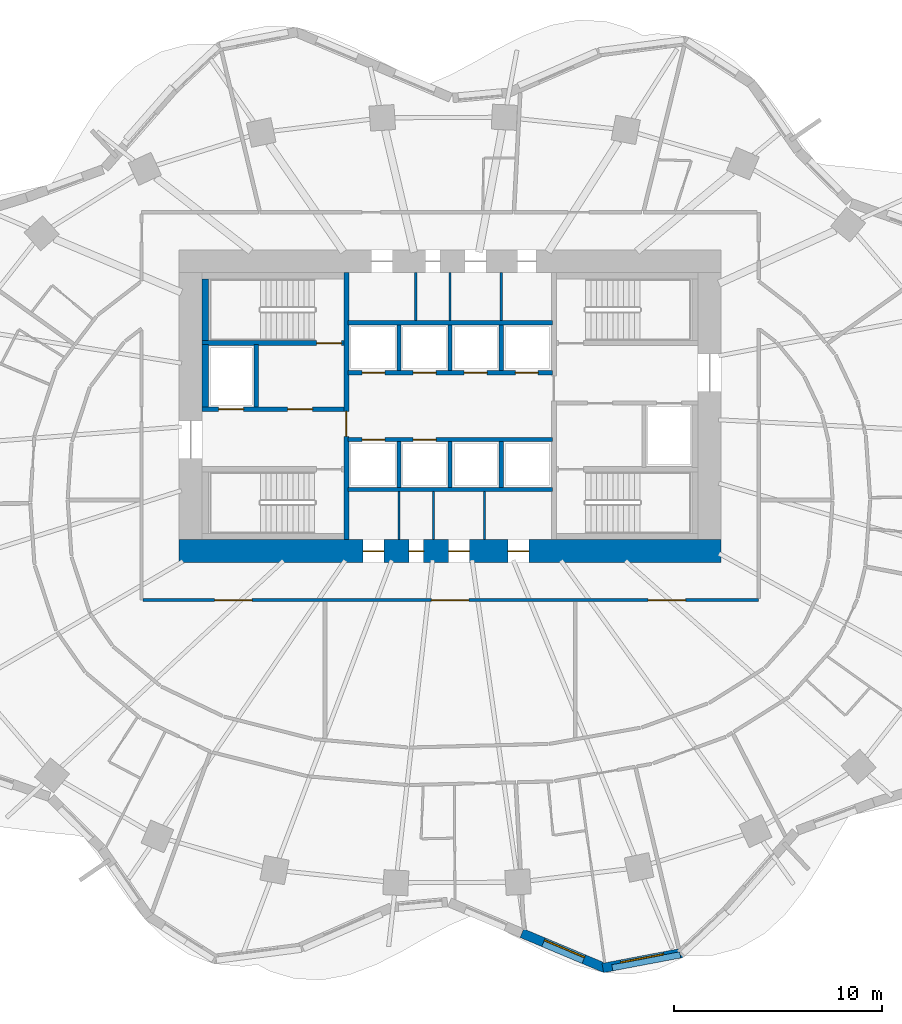
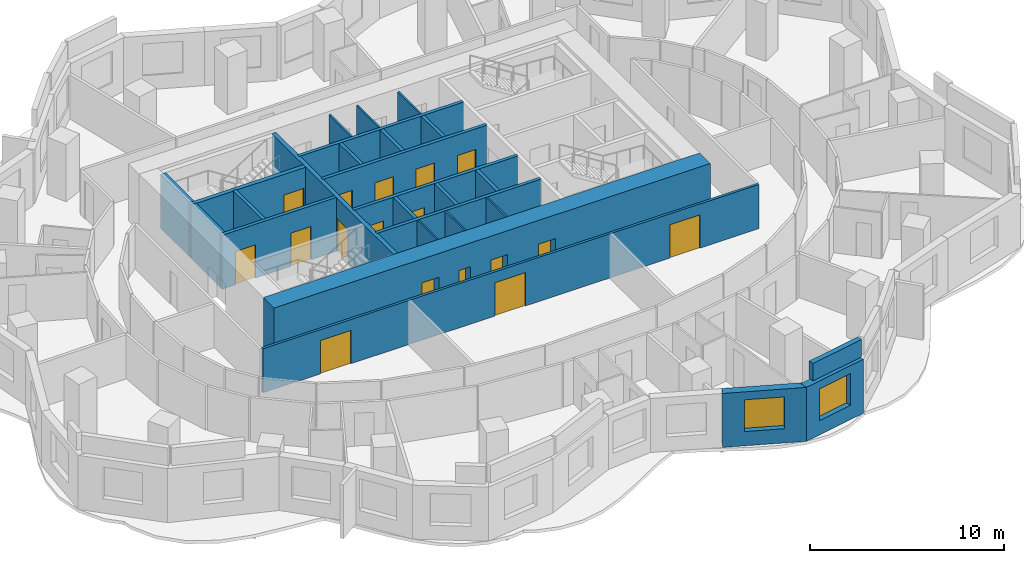
# One storey, part 5 of 10: 27 walls, 17 doors, 2 windows, 19 openings.
"""IFC4 building model written with IfcOpenShell, lengths in metres."""

from ifc_helpers import new_model, si_unit, direction, frame, frame_2d, origin, place, context, subcontext, project, spatial, rectangle, extrude, material, layer, layer_set, type_object, element, fill, save


model = new_model("IFC4")

# Units and contexts
model_context = context("Model", 3, precision=1e-05, world=origin(), true_north=direction((0.0, 1.0)))
body_context = subcontext(model_context, "Body", "Model", "MODEL_VIEW")
ifc_project = project(units=[si_unit("LENGTHUNIT", "METRE"), si_unit("AREAUNIT", "SQUARE_METRE"), si_unit("VOLUMEUNIT", "CUBIC_METRE"), si_unit("PLANEANGLEUNIT", "RADIAN"), si_unit("MASSUNIT", "GRAM", prefix="KILO")], contexts=[model_context])

# Site, building, storey
site_placement = place(None, origin())
site = spatial("IfcSite", under=ifc_project, at=site_placement, CompositionType="ELEMENT")
building_placement = place(site_placement, origin())
building = spatial("IfcBuilding", under=site, at=building_placement, Name="Rubra Terraces Tower", CompositionType="ELEMENT")
storey_placement = place(building_placement, frame((0.0, 0.0, 110.39990234375)))
storey = spatial("IfcBuildingStorey", under=building, at=storey_placement, Name="L26", CompositionType="ELEMENT", Elevation=110.39990234375)

# Wall, opening, window
ifc_material_1 = material(Name="Brick masonry red-brown", Category="masonry")
ifc_layer_1 = layer(ifc_material_1, 0.449951171875)
ifc_layer_set_1 = layer_set([ifc_layer_1], Name="Brick masonry red-brown")
wall_type_1 = type_object("IfcWallType", Name="Brick facade wall 450", PredefinedType="SOLIDWALL", material=ifc_layer_set_1)
wall_1_placement = place(storey_placement, frame((3.44140625, -20.776123046875, 0.0), z_axis=(0.0, 0.0, 1.0), x_axis=(0.921988121387, -0.387218160758, 0.0)))
wall_1 = element("IfcWall", 1, at=wall_1_placement, inside=storey, type_object=wall_type_1, Name="Facade wall L26 bay 32", PredefinedType="SOLIDWALL", context=body_context, shape_type="SweptSolid", body=[
    extrude(rectangle(XDim=4.3466796875, YDim=0.449951171875, at=frame_2d((2.17333984375, 0.0))), origin(), (0.0, 0.0, 1.0), 3.400146484375),
])
opening_1_placement = place(wall_1_placement, frame((1.123291015625, 0.0, 0.89990234375)))
opening_1 = element("IfcOpeningElement", 2, at=opening_1_placement, cuts=wall_1, Name="Opening W1", PredefinedType="OPENING", context=body_context, shape_type="SweptSolid", body=[
    extrude(rectangle(XDim=2.10009765625, YDim=2.0, at=frame_2d((1.050048828125, 1.0))), frame((0.0, 0.23486328125, 0.0), z_axis=(0.0, -1.0, 0.0), x_axis=(1.0, 0.0, 0.0)), (0.0, 0.0, 1.0), 0.469970703125),
])
ifc_material_2 = material(Name="Clear glass in aluminium frame", Category="aluminium")
window_type = type_object("IfcWindowType", Name="Fixed deep-set window 2100 x 2000", PartitioningType="SINGLE_PANEL", PredefinedType="WINDOW", material=ifc_material_2)
window_1_placement = place(opening_1_placement, origin())
window_1 = element("IfcWindow", 3, at=window_1_placement, inside=storey, type_object=window_type, Name="Window L26 bay 32", OverallHeight=2.0, OverallWidth=2.10009765625, PartitioningType="SINGLE_PANEL", PredefinedType="WINDOW", context=body_context, shape_type="SweptSolid", body=[
    extrude(rectangle(XDim=2.10009765625, YDim=2.0, at=frame_2d((1.050048828125, 1.0))), frame((0.0, 0.135009765625, 0.0), z_axis=(0.0, -1.0, 0.0), x_axis=(1.0, 0.0, 0.0)), (0.0, 0.0, 1.0), 0.06005859375),
])
fill(opening_1, window_1)

wall_2_placement = place(storey_placement, frame((7.322998046875, -22.447021484375, 0.0), z_axis=(0.0, 0.0, 1.0), x_axis=(0.982420993638, 0.18667884524, 0.0)))
wall_2 = element("IfcWall", 4, at=wall_2_placement, inside=storey, type_object=wall_type_1, Name="Facade wall L26 bay 33", PredefinedType="SOLIDWALL", context=body_context, shape_type="SweptSolid", body=[
    extrude(rectangle(XDim=3.88427734375, YDim=0.449951171875, at=frame_2d((1.942138671875, 0.0))), origin(), (0.0, 0.0, 1.0), 3.400146484375),
])
opening_2_placement = place(wall_2_placement, frame((0.89208984375, 0.0, 0.89990234375)))
opening_2 = element("IfcOpeningElement", 5, at=opening_2_placement, cuts=wall_2, Name="Opening W1", PredefinedType="OPENING", context=body_context, shape_type="SweptSolid", body=[
    extrude(rectangle(XDim=2.10009765625, YDim=2.0, at=frame_2d((1.050048828125, 1.0))), frame((0.0, 0.23486328125, 0.0), z_axis=(0.0, -1.0, 0.0), x_axis=(1.0, 0.0, 0.0)), (0.0, 0.0, 1.0), 0.469970703125),
])
window_2_placement = place(opening_2_placement, origin())
window_2 = element("IfcWindow", 6, at=window_2_placement, inside=storey, type_object=window_type, Name="Window L26 bay 33", OverallHeight=2.0, OverallWidth=2.10009765625, PartitioningType="SINGLE_PANEL", PredefinedType="WINDOW", context=body_context, shape_type="SweptSolid", body=[
    extrude(rectangle(XDim=2.10009765625, YDim=2.0, at=frame_2d((1.050048828125, 1.0))), frame((0.0, 0.135009765625, 0.0), z_axis=(0.0, -1.0, 0.0), x_axis=(1.0, 0.0, 0.0)), (0.0, 0.0, 1.0), 0.06005859375),
])
fill(opening_2, window_2)

# Wall
ifc_layer_2 = layer(ifc_material_1, 0.300048828125)
ifc_layer_set_2 = layer_set([ifc_layer_2], Name="Brick masonry red-brown")
wall_type_2 = type_object("IfcWallType", Name="Brick parapet 300", PredefinedType="PARAPET", material=ifc_layer_set_2)
wall_3_placement = place(storey_placement, frame((7.777587890625, -22.43701171875, 3.60009765625), z_axis=(0.0, 0.0, 1.0), x_axis=(0.98241446716, 0.186713188382, 0.0)))
element("IfcWall", 7, at=wall_3_placement, inside=storey, type_object=wall_type_2, Name="Parapet L26 bay 33", PredefinedType="PARAPET", context=body_context, shape_type="SweptSolid", body=[
    extrude(rectangle(XDim=3.318603515625, YDim=0.300048828125, at=frame_2d((1.6591796875, 0.0))), origin(), (0.0, 0.0, 1.0), 1.10009765625),
])

# Wall, openings, doors
ifc_material_3 = material(Name="Concrete C60", Category="concrete")
ifc_layer_3 = layer(ifc_material_3, 1.10009765625)
ifc_layer_set_3 = layer_set([ifc_layer_3], Name="Concrete C60")
wall_type_3 = type_object("IfcWallType", Name="CORE WALL 1100 C60", PredefinedType="SHEAR", material=ifc_layer_set_3)
wall_4_placement = place(storey_placement, frame((-13.0, -2.449951171875, 0.0), z_axis=(0.0, 0.0, 1.0), x_axis=(1.0, 0.0, 0.0)))
wall_4 = element("IfcWall", 8, at=wall_4_placement, inside=storey, type_object=wall_type_3, Name="CORE WALL S L26", PredefinedType="SHEAR", context=body_context, shape_type="SweptSolid", body=[
    extrude(rectangle(XDim=26.0, YDim=1.10009765625, at=frame_2d((13.0, 0.0))), origin(), (0.0, 0.0, 1.0), 3.60009765625),
])
opening_3_placement = place(wall_4_placement, frame((8.824951171875, 0.0, 0.0)))
opening_3 = element("IfcOpeningElement", 9, at=opening_3_placement, cuts=wall_4, Name="Opening L26.C19", PredefinedType="OPENING", context=body_context, shape_type="SweptSolid", body=[
    extrude(rectangle(XDim=1.0, YDim=2.10009765625, at=frame_2d((0.5, 1.050048828125))), frame((0.0, 0.56005859375, 0.0), z_axis=(0.0, -1.0, 0.0), x_axis=(1.0, 0.0, 0.0)), (0.0, 0.0, 1.0), 1.1201171875),
])
opening_4_placement = place(wall_4_placement, frame((11.02490234375, 0.0, 0.0)))
opening_4 = element("IfcOpeningElement", 10, at=opening_4_placement, cuts=wall_4, Name="Opening L26.C20", PredefinedType="OPENING", context=body_context, shape_type="SweptSolid", body=[
    extrude(rectangle(XDim=0.699951171875, YDim=2.10009765625, at=frame_2d((0.35009765625, 1.050048828125))), frame((0.0, 0.56005859375, 0.0), z_axis=(0.0, -1.0, 0.0), x_axis=(1.0, 0.0, 0.0)), (0.0, 0.0, 1.0), 1.1201171875),
])
opening_5_placement = place(wall_4_placement, frame((12.925048828125, 0.0, 0.0)))
opening_5 = element("IfcOpeningElement", 11, at=opening_5_placement, cuts=wall_4, Name="Opening L26.C21", PredefinedType="OPENING", context=body_context, shape_type="SweptSolid", body=[
    extrude(rectangle(XDim=1.0, YDim=2.10009765625, at=frame_2d((0.5, 1.050048828125))), frame((0.0, 0.56005859375, 0.0), z_axis=(0.0, -1.0, 0.0), x_axis=(1.0, 0.0, 0.0)), (0.0, 0.0, 1.0), 1.1201171875),
])
opening_6_placement = place(wall_4_placement, frame((15.77490234375, 0.0, 0.0)))
opening_6 = element("IfcOpeningElement", 12, at=opening_6_placement, cuts=wall_4, Name="Opening L26.C22", PredefinedType="OPENING", context=body_context, shape_type="SweptSolid", body=[
    extrude(rectangle(XDim=1.0, YDim=2.10009765625, at=frame_2d((0.5, 1.050048828125))), frame((0.0, 0.56005859375, 0.0), z_axis=(0.0, -1.0, 0.0), x_axis=(1.0, 0.0, 0.0)), (0.0, 0.0, 1.0), 1.1201171875),
])
ifc_material_4 = material(Name="Painted steel", Category="steel")
door_type_1 = type_object("IfcDoorType", Name="Fire door 1000x2100 single", OperationType="NOTDEFINED", PredefinedType="DOOR", material=ifc_material_4)
door_1_placement = place(opening_3_placement, origin())
door_1 = element("IfcDoor", 13, at=door_1_placement, inside=storey, type_object=door_type_1, Name="Ice and vending room door", OperationType="SINGLE_SWING_LEFT", OverallHeight=2.10009765625, OverallWidth=1.0, PredefinedType="DOOR", context=body_context, shape_type="SweptSolid", body=[
    extrude(rectangle(XDim=1.0, YDim=2.10009765625, at=frame_2d((0.5, 1.050048828125))), frame((0.0, 0.02490234375, 0.0), z_axis=(0.0, -1.0, 0.0), x_axis=(1.0, 0.0, 0.0)), (0.0, 0.0, 1.0), 0.050048828125),
])
fill(opening_3, door_1)
door_2_placement = place(opening_5_placement, origin())
door_2 = element("IfcDoor", 14, at=door_2_placement, inside=storey, type_object=door_type_1, Name="Linen store door", OperationType="SINGLE_SWING_LEFT", OverallHeight=2.10009765625, OverallWidth=1.0, PredefinedType="DOOR", context=body_context, shape_type="SweptSolid", body=[
    extrude(rectangle(XDim=1.0, YDim=2.10009765625, at=frame_2d((0.5, 1.050048828125))), frame((0.0, 0.02490234375, 0.0), z_axis=(0.0, -1.0, 0.0), x_axis=(1.0, 0.0, 0.0)), (0.0, 0.0, 1.0), 0.050048828125),
])
fill(opening_5, door_2)
door_3_placement = place(opening_6_placement, origin())
door_3 = element("IfcDoor", 15, at=door_3_placement, inside=storey, type_object=door_type_1, Name="Housekeeping store door", OperationType="SINGLE_SWING_RIGHT", OverallHeight=2.10009765625, OverallWidth=1.0, PredefinedType="DOOR", context=body_context, shape_type="SweptSolid", body=[
    extrude(rectangle(XDim=1.0, YDim=2.10009765625, at=frame_2d((0.5, 1.050048828125))), frame((0.0, 0.02490234375, 0.0), z_axis=(0.0, -1.0, 0.0), x_axis=(1.0, 0.0, 0.0)), (0.0, 0.0, 1.0), 0.050048828125),
])
fill(opening_6, door_3)
door_type_2 = type_object("IfcDoorType", Name="Riser access door 700x2100 single", OperationType="NOTDEFINED", PredefinedType="DOOR", material=ifc_material_4)
door_4_placement = place(opening_4_placement, origin())
door_4 = element("IfcDoor", 16, at=door_4_placement, inside=storey, type_object=door_type_2, Name="Electrical riser room door", OperationType="SINGLE_SWING_RIGHT", OverallHeight=2.10009765625, OverallWidth=0.699951171875, PredefinedType="DOOR", context=body_context, shape_type="SweptSolid", body=[
    extrude(rectangle(XDim=0.699951171875, YDim=2.10009765625, at=frame_2d((0.35009765625, 1.050048828125))), frame((0.0, 0.02490234375, 0.0), z_axis=(0.0, -1.0, 0.0), x_axis=(1.0, 0.0, 0.0)), (0.0, 0.0, 1.0), 0.050048828125),
])
fill(opening_4, door_4)

ifc_material_5 = material(Name="Plasterboard on steel stud, mineral wool infill", Category="steel")
ifc_layer_4 = layer(ifc_material_5, 0.14990234375)
ifc_layer_set_4 = layer_set([ifc_layer_4], Name="Plasterboard on steel stud, mineral wool infill")
wall_type_4 = type_object("IfcWallType", Name="CORRIDOR PARTITION 150", PredefinedType="PARTITIONING", material=ifc_layer_set_4)
wall_5_placement = place(storey_placement, frame((-14.72509765625, -4.800048828125, 0.0), z_axis=(0.0, 0.0, 1.0), x_axis=(1.0, 0.0, 0.0)))
wall_5 = element("IfcWall", 17, at=wall_5_placement, inside=storey, type_object=wall_type_4, Name="PARTITION", PredefinedType="PARTITIONING", context=body_context, shape_type="SweptSolid", body=[
    extrude(rectangle(XDim=29.525146484375, YDim=0.14990234375, at=frame_2d((14.7626953125, 0.0))), origin(), (0.0, 0.0, 1.0), 2.7841796875),
])
opening_7_placement = place(wall_5_placement, frame((3.425048828125, 0.0, 0.0)))
opening_7 = element("IfcOpeningElement", 18, at=opening_7_placement, cuts=wall_5, Name="Opening 26-128", PredefinedType="OPENING", context=body_context, shape_type="SweptSolid", body=[
    extrude(rectangle(XDim=1.800048828125, YDim=2.10009765625, at=frame_2d((0.89990234375, 1.050048828125))), frame((0.0, 0.0849609375, 0.0), z_axis=(0.0, -1.0, 0.0), x_axis=(1.0, 0.0, 0.0)), (0.0, 0.0, 1.0), 0.169921875),
])
opening_8_placement = place(wall_5_placement, frame((13.824951171875, 0.0, 0.0)))
opening_8 = element("IfcOpeningElement", 19, at=opening_8_placement, cuts=wall_5, Name="Opening 26-129", PredefinedType="OPENING", context=body_context, shape_type="SweptSolid", body=[
    extrude(rectangle(XDim=1.800048828125, YDim=2.10009765625, at=frame_2d((0.89990234375, 1.050048828125))), frame((0.0, 0.0849609375, 0.0), z_axis=(0.0, -1.0, 0.0), x_axis=(1.0, 0.0, 0.0)), (0.0, 0.0, 1.0), 0.169921875),
])
opening_9_placement = place(wall_5_placement, frame((24.22509765625, 0.0, 0.0)))
opening_9 = element("IfcOpeningElement", 20, at=opening_9_placement, cuts=wall_5, Name="Opening 26-130", PredefinedType="OPENING", context=body_context, shape_type="SweptSolid", body=[
    extrude(rectangle(XDim=1.800048828125, YDim=2.10009765625, at=frame_2d((0.89990234375, 1.050048828125))), frame((0.0, 0.0849609375, 0.0), z_axis=(0.0, -1.0, 0.0), x_axis=(1.0, 0.0, 0.0)), (0.0, 0.0, 1.0), 0.169921875),
])
ifc_material_6 = material(Name="Painted timber door leaf, double", Category="wood")
door_type_3 = type_object("IfcDoorType", Name="ROOM DOUBLE DOOR 1800 X 2100", OperationType="DOUBLE_DOOR_SINGLE_SWING", PredefinedType="DOOR", material=ifc_material_6)
door_5_placement = place(opening_7_placement, origin())
door_5 = element("IfcDoor", 21, at=door_5_placement, inside=storey, type_object=door_type_3, Name="DOOR 26-128", OperationType="DOUBLE_DOOR_SINGLE_SWING", OverallHeight=2.10009765625, OverallWidth=1.800048828125, PredefinedType="DOOR", context=body_context, shape_type="SweptSolid", body=[
    extrude(rectangle(XDim=1.800048828125, YDim=2.10009765625, at=frame_2d((0.89990234375, 1.050048828125))), frame((0.0, 0.02490234375, 0.0), z_axis=(0.0, -1.0, 0.0), x_axis=(1.0, 0.0, 0.0)), (0.0, 0.0, 1.0), 0.050048828125),
])
fill(opening_7, door_5)
door_6_placement = place(opening_8_placement, origin())
door_6 = element("IfcDoor", 22, at=door_6_placement, inside=storey, type_object=door_type_3, Name="DOOR 26-129", OperationType="DOUBLE_DOOR_SINGLE_SWING", OverallHeight=2.10009765625, OverallWidth=1.800048828125, PredefinedType="DOOR", context=body_context, shape_type="SweptSolid", body=[
    extrude(rectangle(XDim=1.800048828125, YDim=2.10009765625, at=frame_2d((0.89990234375, 1.050048828125))), frame((0.0, 0.02490234375, 0.0), z_axis=(0.0, -1.0, 0.0), x_axis=(1.0, 0.0, 0.0)), (0.0, 0.0, 1.0), 0.050048828125),
])
fill(opening_8, door_6)
door_7_placement = place(opening_9_placement, origin())
door_7 = element("IfcDoor", 23, at=door_7_placement, inside=storey, type_object=door_type_3, Name="DOOR 26-130", OperationType="DOUBLE_DOOR_SINGLE_SWING", OverallHeight=2.10009765625, OverallWidth=1.800048828125, PredefinedType="DOOR", context=body_context, shape_type="SweptSolid", body=[
    extrude(rectangle(XDim=1.800048828125, YDim=2.10009765625, at=frame_2d((0.89990234375, 1.050048828125))), frame((0.0, 0.02490234375, 0.0), z_axis=(0.0, -1.0, 0.0), x_axis=(1.0, 0.0, 0.0)), (0.0, 0.0, 1.0), 0.050048828125),
])
fill(opening_9, door_7)

# Walls
ifc_material_7 = material(Name="Concrete C40", Category="concrete")
ifc_layer_5 = layer(ifc_material_7, 0.300048828125)
ifc_layer_set_5 = layer_set([ifc_layer_5], Name="Concrete C40")
wall_type_5 = type_object("IfcWallType", Name="Core lining wall 300 concrete", PredefinedType="SOLIDWALL", material=ifc_layer_set_5)
wall_6_placement = place(storey_placement, frame((-11.75, 4.449951171875, 0.0), z_axis=(0.0, 0.0, 1.0), x_axis=(0.0, 1.0, 0.0)))
element("IfcWall", 24, at=wall_6_placement, inside=storey, type_object=wall_type_5, Name="CORE LINING WALL L26", PredefinedType="SOLIDWALL", context=body_context, shape_type="SweptSolid", body=[
    extrude(rectangle(XDim=3.0, YDim=0.300048828125, at=frame_2d((1.5, 0.0))), origin(), (0.0, 0.0, 1.0), 3.400146484375),
])
wall_7_placement = place(storey_placement, frame((-11.75, 7.64990234375, 0.0), z_axis=(0.0, 0.0, 1.0), x_axis=(0.0, 1.0, 0.0)))
element("IfcWall", 25, at=wall_7_placement, inside=storey, type_object=wall_type_5, Name="CORE LINING WALL L26", PredefinedType="SOLIDWALL", context=body_context, shape_type="SweptSolid", body=[
    extrude(rectangle(XDim=2.9501953125, YDim=0.300048828125, at=frame_2d((1.47509765625, 0.0))), origin(), (0.0, 0.0, 1.0), 3.400146484375),
])

# Wall, openings, doors
ifc_material_8 = material(Name="Concrete C30", Category="concrete")
ifc_layer_6 = layer(ifc_material_8, 0.199951171875)
ifc_layer_set_6 = layer_set([ifc_layer_6], Name="Concrete C30")
wall_type_6 = type_object("IfcWallType", Name="Core wall 200 concrete", PredefinedType="SOLIDWALL", material=ifc_layer_set_6)
wall_8_placement = place(storey_placement, frame((-11.89990234375, 4.35009765625, 0.0), z_axis=(0.0, 0.0, 1.0), x_axis=(1.0, 0.0, 0.0)))
wall_8 = element("IfcWall", 26, at=wall_8_placement, inside=storey, type_object=wall_type_6, Name="STAIR WALL L26", PredefinedType="SOLIDWALL", context=body_context, shape_type="SweptSolid", body=[
    extrude(rectangle(XDim=6.7998046875, YDim=0.199951171875, at=frame_2d((3.39990234375, 0.0))), origin(), (0.0, 0.0, 1.0), 3.400146484375),
])
opening_10_placement = place(wall_8_placement, frame((4.10009765625, 0.0, 0.0)))
opening_10 = element("IfcOpeningElement", 27, at=opening_10_placement, cuts=wall_8, Name="Opening L26.C05", PredefinedType="OPENING", context=body_context, shape_type="SweptSolid", body=[
    extrude(rectangle(XDim=1.199951171875, YDim=2.10009765625, at=frame_2d((0.60009765625, 1.050048828125))), frame((0.0, 0.10986328125, 0.0), z_axis=(0.0, -1.0, 0.0), x_axis=(1.0, 0.0, 0.0)), (0.0, 0.0, 1.0), 0.219970703125),
])
opening_11_placement = place(wall_8_placement, frame((0.800048828125, 0.0, 0.0)))
opening_11 = element("IfcOpeningElement", 28, at=opening_11_placement, cuts=wall_8, Name="Opening L26.C11", PredefinedType="OPENING", context=body_context, shape_type="SweptSolid", body=[
    extrude(rectangle(XDim=1.199951171875, YDim=2.10009765625, at=frame_2d((0.60009765625, 1.050048828125))), frame((0.0, 0.10986328125, 0.0), z_axis=(0.0, -1.0, 0.0), x_axis=(1.0, 0.0, 0.0)), (0.0, 0.0, 1.0), 0.219970703125),
])
door_type_4 = type_object("IfcDoorType", Name="Fire door 1200x2100 single", OperationType="NOTDEFINED", PredefinedType="DOOR", material=ifc_material_4)
door_8_placement = place(opening_10_placement, origin())
door_8 = element("IfcDoor", 29, at=door_8_placement, inside=storey, type_object=door_type_4, Name="Stair vestibule door S2", OperationType="SINGLE_SWING_LEFT", OverallHeight=2.10009765625, OverallWidth=1.199951171875, PredefinedType="DOOR", context=body_context, shape_type="SweptSolid", body=[
    extrude(rectangle(XDim=1.199951171875, YDim=2.10009765625, at=frame_2d((0.60009765625, 1.050048828125))), frame((0.0, 0.02490234375, 0.0), z_axis=(0.0, -1.0, 0.0), x_axis=(1.0, 0.0, 0.0)), (0.0, 0.0, 1.0), 0.050048828125),
])
fill(opening_10, door_8)
ifc_material_9 = material(Name="Stainless steel", Category="steel")
door_type_5 = type_object("IfcDoorType", Name="Lift landing door 1200x2100", OperationType="NOTDEFINED", PredefinedType="DOOR", material=ifc_material_9)
door_9_placement = place(opening_11_placement, origin())
door_9 = element("IfcDoor", 30, at=door_9_placement, inside=storey, type_object=door_type_5, Name="Landing door FF1", OperationType="SLIDING_TO_RIGHT", OverallHeight=2.10009765625, OverallWidth=1.199951171875, PredefinedType="DOOR", context=body_context, shape_type="SweptSolid", body=[
    extrude(rectangle(XDim=1.199951171875, YDim=2.10009765625, at=frame_2d((0.60009765625, 1.050048828125))), frame((0.0, 0.02490234375, 0.0), z_axis=(0.0, -1.0, 0.0), x_axis=(1.0, 0.0, 0.0)), (0.0, 0.0, 1.0), 0.050048828125),
])
fill(opening_11, door_9)

# Walls
wall_9_placement = place(storey_placement, frame((-9.300048828125, 4.449951171875, 0.0), z_axis=(0.0, 0.0, 1.0), x_axis=(0.0, 1.0, 0.0)))
element("IfcWall", 31, at=wall_9_placement, inside=storey, type_object=wall_type_6, Name="STAIR WALL L26", PredefinedType="SOLIDWALL", context=body_context, shape_type="SweptSolid", body=[
    extrude(rectangle(XDim=3.0, YDim=0.199951171875, at=frame_2d((1.5, 0.0))), origin(), (0.0, 0.0, 1.0), 3.400146484375),
])
wall_10_placement = place(storey_placement, frame((-4.89990234375, 0.5, 0.0), z_axis=(0.0, 0.0, 1.0), x_axis=(1.0, 0.0, 0.0)))
element("IfcWall", 32, at=wall_10_placement, inside=storey, type_object=wall_type_6, Name="LIFT SHAFT WALL L26", PredefinedType="SOLIDWALL", context=body_context, shape_type="SweptSolid", body=[
    extrude(rectangle(XDim=9.7998046875, YDim=0.199951171875, at=frame_2d((4.89990234375, 0.0))), origin(), (0.0, 0.0, 1.0), 3.400146484375),
])

# Wall, openings, doors
wall_11_placement = place(storey_placement, frame((-4.89990234375, 2.89990234375, 0.0), z_axis=(0.0, 0.0, 1.0), x_axis=(1.0, 0.0, 0.0)))
wall_11 = element("IfcWall", 33, at=wall_11_placement, inside=storey, type_object=wall_type_6, Name="LIFT SHAFT WALL L26", PredefinedType="SOLIDWALL", context=body_context, shape_type="SweptSolid", body=[
    extrude(rectangle(XDim=9.7998046875, YDim=0.199951171875, at=frame_2d((4.89990234375, 0.0))), origin(), (0.0, 0.0, 1.0), 3.400146484375),
])
opening_12_placement = place(wall_11_placement, frame((0.675048828125, 0.0, 0.0)))
opening_12 = element("IfcOpeningElement", 34, at=opening_12_placement, cuts=wall_11, Name="Opening L26.C13", PredefinedType="OPENING", context=body_context, shape_type="SweptSolid", body=[
    extrude(rectangle(XDim=1.10009765625, YDim=2.10009765625, at=frame_2d((0.550048828125, 1.050048828125))), frame((0.0, 0.10986328125, 0.0), z_axis=(0.0, -1.0, 0.0), x_axis=(1.0, 0.0, 0.0)), (0.0, 0.0, 1.0), 0.219970703125),
])
opening_13_placement = place(wall_11_placement, frame((3.125, 0.0, 0.0)))
opening_13 = element("IfcOpeningElement", 35, at=opening_13_placement, cuts=wall_11, Name="Opening L26.C14", PredefinedType="OPENING", context=body_context, shape_type="SweptSolid", body=[
    extrude(rectangle(XDim=1.10009765625, YDim=2.10009765625, at=frame_2d((0.550048828125, 1.050048828125))), frame((0.0, 0.10986328125, 0.0), z_axis=(0.0, -1.0, 0.0), x_axis=(1.0, 0.0, 0.0)), (0.0, 0.0, 1.0), 0.219970703125),
])
door_type_6 = type_object("IfcDoorType", Name="Lift landing door 1100x2100", OperationType="NOTDEFINED", PredefinedType="DOOR", material=ifc_material_9)
door_10_placement = place(opening_12_placement, origin())
door_10 = element("IfcDoor", 36, at=door_10_placement, inside=storey, type_object=door_type_6, Name="Landing door LB1", OperationType="SLIDING_TO_RIGHT", OverallHeight=2.10009765625, OverallWidth=1.10009765625, PredefinedType="DOOR", context=body_context, shape_type="SweptSolid", body=[
    extrude(rectangle(XDim=1.10009765625, YDim=2.10009765625, at=frame_2d((0.550048828125, 1.050048828125))), frame((0.0, 0.02490234375, 0.0), z_axis=(0.0, -1.0, 0.0), x_axis=(1.0, 0.0, 0.0)), (0.0, 0.0, 1.0), 0.050048828125),
])
fill(opening_12, door_10)
door_11_placement = place(opening_13_placement, origin())
door_11 = element("IfcDoor", 37, at=door_11_placement, inside=storey, type_object=door_type_6, Name="Landing door LB2", OperationType="SLIDING_TO_LEFT", OverallHeight=2.10009765625, OverallWidth=1.10009765625, PredefinedType="DOOR", context=body_context, shape_type="SweptSolid", body=[
    extrude(rectangle(XDim=1.10009765625, YDim=2.10009765625, at=frame_2d((0.550048828125, 1.050048828125))), frame((0.0, 0.02490234375, 0.0), z_axis=(0.0, -1.0, 0.0), x_axis=(1.0, 0.0, 0.0)), (0.0, 0.0, 1.0), 0.050048828125),
])
fill(opening_13, door_11)

wall_12_placement = place(storey_placement, frame((-4.89990234375, 6.10009765625, 0.0), z_axis=(0.0, 0.0, 1.0), x_axis=(1.0, 0.0, 0.0)))
wall_12 = element("IfcWall", 38, at=wall_12_placement, inside=storey, type_object=wall_type_6, Name="LIFT SHAFT WALL L26", PredefinedType="SOLIDWALL", context=body_context, shape_type="SweptSolid", body=[
    extrude(rectangle(XDim=9.7998046875, YDim=0.199951171875, at=frame_2d((4.89990234375, 0.0))), origin(), (0.0, 0.0, 1.0), 3.400146484375),
])
opening_14_placement = place(wall_12_placement, frame((0.675048828125, 0.0, 0.0)))
opening_14 = element("IfcOpeningElement", 39, at=opening_14_placement, cuts=wall_12, Name="Opening L26.C15", PredefinedType="OPENING", context=body_context, shape_type="SweptSolid", body=[
    extrude(rectangle(XDim=1.10009765625, YDim=2.10009765625, at=frame_2d((0.550048828125, 1.050048828125))), frame((0.0, 0.10986328125, 0.0), z_axis=(0.0, -1.0, 0.0), x_axis=(1.0, 0.0, 0.0)), (0.0, 0.0, 1.0), 0.219970703125),
])
opening_15_placement = place(wall_12_placement, frame((3.125, 0.0, 0.0)))
opening_15 = element("IfcOpeningElement", 40, at=opening_15_placement, cuts=wall_12, Name="Opening L26.C16", PredefinedType="OPENING", context=body_context, shape_type="SweptSolid", body=[
    extrude(rectangle(XDim=1.10009765625, YDim=2.10009765625, at=frame_2d((0.550048828125, 1.050048828125))), frame((0.0, 0.10986328125, 0.0), z_axis=(0.0, -1.0, 0.0), x_axis=(1.0, 0.0, 0.0)), (0.0, 0.0, 1.0), 0.219970703125),
])
opening_16_placement = place(wall_12_placement, frame((5.574951171875, 0.0, 0.0)))
opening_16 = element("IfcOpeningElement", 41, at=opening_16_placement, cuts=wall_12, Name="Opening L26.C17", PredefinedType="OPENING", context=body_context, shape_type="SweptSolid", body=[
    extrude(rectangle(XDim=1.10009765625, YDim=2.10009765625, at=frame_2d((0.550048828125, 1.050048828125))), frame((0.0, 0.10986328125, 0.0), z_axis=(0.0, -1.0, 0.0), x_axis=(1.0, 0.0, 0.0)), (0.0, 0.0, 1.0), 0.219970703125),
])
opening_17_placement = place(wall_12_placement, frame((8.02490234375, 0.0, 0.0)))
opening_17 = element("IfcOpeningElement", 42, at=opening_17_placement, cuts=wall_12, Name="Opening L26.C18", PredefinedType="OPENING", context=body_context, shape_type="SweptSolid", body=[
    extrude(rectangle(XDim=1.10009765625, YDim=2.10009765625, at=frame_2d((0.550048828125, 1.050048828125))), frame((0.0, 0.10986328125, 0.0), z_axis=(0.0, -1.0, 0.0), x_axis=(1.0, 0.0, 0.0)), (0.0, 0.0, 1.0), 0.219970703125),
])
door_12_placement = place(opening_14_placement, origin())
door_12 = element("IfcDoor", 43, at=door_12_placement, inside=storey, type_object=door_type_6, Name="Landing door LB3", OperationType="SLIDING_TO_RIGHT", OverallHeight=2.10009765625, OverallWidth=1.10009765625, PredefinedType="DOOR", context=body_context, shape_type="SweptSolid", body=[
    extrude(rectangle(XDim=1.10009765625, YDim=2.10009765625, at=frame_2d((0.550048828125, 1.050048828125))), frame((0.0, 0.02490234375, 0.0), z_axis=(0.0, -1.0, 0.0), x_axis=(1.0, 0.0, 0.0)), (0.0, 0.0, 1.0), 0.050048828125),
])
fill(opening_14, door_12)
door_13_placement = place(opening_15_placement, origin())
door_13 = element("IfcDoor", 44, at=door_13_placement, inside=storey, type_object=door_type_6, Name="Landing door LB4", OperationType="SLIDING_TO_LEFT", OverallHeight=2.10009765625, OverallWidth=1.10009765625, PredefinedType="DOOR", context=body_context, shape_type="SweptSolid", body=[
    extrude(rectangle(XDim=1.10009765625, YDim=2.10009765625, at=frame_2d((0.550048828125, 1.050048828125))), frame((0.0, 0.02490234375, 0.0), z_axis=(0.0, -1.0, 0.0), x_axis=(1.0, 0.0, 0.0)), (0.0, 0.0, 1.0), 0.050048828125),
])
fill(opening_15, door_13)
door_14_placement = place(opening_16_placement, origin())
door_14 = element("IfcDoor", 45, at=door_14_placement, inside=storey, type_object=door_type_6, Name="Landing door LB5", OperationType="SLIDING_TO_RIGHT", OverallHeight=2.10009765625, OverallWidth=1.10009765625, PredefinedType="DOOR", context=body_context, shape_type="SweptSolid", body=[
    extrude(rectangle(XDim=1.10009765625, YDim=2.10009765625, at=frame_2d((0.550048828125, 1.050048828125))), frame((0.0, 0.02490234375, 0.0), z_axis=(0.0, -1.0, 0.0), x_axis=(1.0, 0.0, 0.0)), (0.0, 0.0, 1.0), 0.050048828125),
])
fill(opening_16, door_14)
door_15_placement = place(opening_17_placement, origin())
door_15 = element("IfcDoor", 46, at=door_15_placement, inside=storey, type_object=door_type_6, Name="Landing door LB6", OperationType="SLIDING_TO_LEFT", OverallHeight=2.10009765625, OverallWidth=1.10009765625, PredefinedType="DOOR", context=body_context, shape_type="SweptSolid", body=[
    extrude(rectangle(XDim=1.10009765625, YDim=2.10009765625, at=frame_2d((0.550048828125, 1.050048828125))), frame((0.0, 0.02490234375, 0.0), z_axis=(0.0, -1.0, 0.0), x_axis=(1.0, 0.0, 0.0)), (0.0, 0.0, 1.0), 0.050048828125),
])
fill(opening_17, door_15)

# Walls
wall_13_placement = place(storey_placement, frame((-4.89990234375, 8.5, 0.0), z_axis=(0.0, 0.0, 1.0), x_axis=(1.0, 0.0, 0.0)))
element("IfcWall", 47, at=wall_13_placement, inside=storey, type_object=wall_type_6, Name="LIFT SHAFT WALL L26", PredefinedType="SOLIDWALL", context=body_context, shape_type="SweptSolid", body=[
    extrude(rectangle(XDim=9.7998046875, YDim=0.199951171875, at=frame_2d((4.89990234375, 0.0))), origin(), (0.0, 0.0, 1.0), 3.400146484375),
])
for number, where, z_axis, x_axis, name in (
    (48, (-2.449951171875, 0.60009765625, 0.0), (0.0, 0.0, 1.0), (0.0, 1.0, 0.0), "LIFT SHAFT WALL L26"),
    (49, (0.0, 0.60009765625, 0.0), (0.0, 0.0, 1.0), (0.0, 1.0, 0.0), "LIFT SHAFT WALL L26"),
    (50, (2.449951171875, 0.60009765625, 0.0), (0.0, 0.0, 1.0), (0.0, 1.0, 0.0), "LIFT SHAFT WALL L26"),
    (51, (-2.449951171875, 6.199951171875, 0.0), (0.0, 0.0, 1.0), (0.0, 1.0, 0.0), "LIFT SHAFT WALL L26"),
    (52, (0.0, 6.199951171875, 0.0), (0.0, 0.0, 1.0), (0.0, 1.0, 0.0), "LIFT SHAFT WALL L26"),
    (53, (2.449951171875, 6.199951171875, 0.0), (0.0, 0.0, 1.0), (0.0, 1.0, 0.0), "LIFT SHAFT WALL L26"),
):
    element("IfcWall", number, at=place(storey_placement, frame(where, z_axis=z_axis, x_axis=x_axis)), inside=storey, type_object=wall_type_6, Name=name, PredefinedType="SOLIDWALL", context=body_context, shape_type="SweptSolid", body=[
        extrude(rectangle(XDim=2.199951171875, YDim=0.199951171875, at=frame_2d((1.10009765625, 0.0))), origin(), (0.0, 0.0, 1.0), 3.400146484375),
    ])
ifc_material_10 = material(Name="Blockwork", Category="masonry")
ifc_layer_7 = layer(ifc_material_10, 0.10009765625)
ifc_layer_set_7 = layer_set([ifc_layer_7], Name="Blockwork")
wall_type_7 = type_object("IfcWallType", Name="Service partition 100 blockwork", PredefinedType="PARTITIONING", material=ifc_layer_set_7)
for number, where, z_axis, x_axis, name in (
    (54, (-2.449951171875, -1.89990234375, 0.0), (0.0, 0.0, 1.0), (0.0, 1.0, 0.0), "SERVICE ROOM PARTITION L26"),
    (55, (-0.800048828125, -1.89990234375, 0.0), (0.0, 0.0, 1.0), (0.0, 1.0, 0.0), "SERVICE ROOM PARTITION L26"),
    (56, (1.64990234375, -1.89990234375, 0.0), (0.0, 0.0, 1.0), (0.0, 1.0, 0.0), "SERVICE ROOM PARTITION L26"),
    (57, (-1.64990234375, 8.60009765625, 0.0), (0.0, 0.0, 1.0), (0.0, 1.0, 0.0), "SERVICE ROOM PARTITION L26"),
    (58, (0.0, 8.60009765625, 0.0), (0.0, 0.0, 1.0), (0.0, 1.0, 0.0), "SERVICE ROOM PARTITION L26"),
    (59, (2.449951171875, 8.60009765625, 0.0), (0.0, 0.0, 1.0), (0.0, 1.0, 0.0), "SERVICE ROOM PARTITION L26"),
):
    element("IfcWall", number, at=place(storey_placement, frame(where, z_axis=z_axis, x_axis=x_axis)), inside=storey, type_object=wall_type_7, Name=name, PredefinedType="PARTITIONING", context=body_context, shape_type="SweptSolid", body=[
        extrude(rectangle(XDim=2.2998046875, YDim=0.10009765625, at=frame_2d((1.14990234375, 0.0))), origin(), (0.0, 0.0, 1.0), 3.400146484375),
    ])

# Wall, opening, door
ifc_layer_8 = layer(ifc_material_7, 0.25)
ifc_layer_set_8 = layer_set([ifc_layer_8], Name="Concrete C40")
wall_type_8 = type_object("IfcWallType", Name="Stair enclosure wall 250 concrete", PredefinedType="SOLIDWALL", material=ifc_layer_set_8)
wall_14_placement = place(storey_placement, frame((-11.89990234375, 7.52490234375, 0.0), z_axis=(0.0, 0.0, 1.0), x_axis=(1.0, 0.0, 0.0)))
wall_14 = element("IfcWall", 60, at=wall_14_placement, inside=storey, type_object=wall_type_8, Name="STAIR WALL L26", PredefinedType="SOLIDWALL", context=body_context, shape_type="SweptSolid", body=[
    extrude(rectangle(XDim=6.7998046875, YDim=0.25, at=frame_2d((3.39990234375, 0.0))), origin(), (0.0, 0.0, 1.0), 3.400146484375),
])
opening_18_placement = place(wall_14_placement, frame((5.5, 0.0, 0.0)))
opening_18 = element("IfcOpeningElement", 61, at=opening_18_placement, cuts=wall_14, Name="Opening L26.C09", PredefinedType="OPENING", context=body_context, shape_type="SweptSolid", body=[
    extrude(rectangle(XDim=1.199951171875, YDim=2.10009765625, at=frame_2d((0.60009765625, 1.050048828125))), frame((0.0, 0.135009765625, 0.0), z_axis=(0.0, -1.0, 0.0), x_axis=(1.0, 0.0, 0.0)), (0.0, 0.0, 1.0), 0.27001953125),
])
door_16_placement = place(opening_18_placement, origin())
door_16 = element("IfcDoor", 62, at=door_16_placement, inside=storey, type_object=door_type_4, Name="Stair door S2", OperationType="SINGLE_SWING_LEFT", OverallHeight=2.10009765625, OverallWidth=1.199951171875, PredefinedType="DOOR", context=body_context, shape_type="SweptSolid", body=[
    extrude(rectangle(XDim=1.199951171875, YDim=2.10009765625, at=frame_2d((0.60009765625, 1.050048828125))), frame((0.0, 0.02490234375, 0.0), z_axis=(0.0, -1.0, 0.0), x_axis=(1.0, 0.0, 0.0)), (0.0, 0.0, 1.0), 0.050048828125),
])
fill(opening_18, door_16)

wall_15_placement = place(storey_placement, frame((-4.97509765625, -1.89990234375, 0.0), z_axis=(0.0, 0.0, 1.0), x_axis=(0.0, 1.0, 0.0)))
wall_15 = element("IfcWall", 63, at=wall_15_placement, inside=storey, type_object=wall_type_8, Name="CORE LOBBY WALL L26", PredefinedType="SOLIDWALL", context=body_context, shape_type="SweptSolid", body=[
    extrude(rectangle(XDim=12.7998046875, YDim=0.25, at=frame_2d((6.39990234375, 0.0))), origin(), (0.0, 0.0, 1.0), 3.400146484375),
])
opening_19_placement = place(wall_15_placement, frame((4.949951171875, 0.0, 0.0)))
opening_19 = element("IfcOpeningElement", 64, at=opening_19_placement, cuts=wall_15, Name="Opening L26.C03", PredefinedType="OPENING", context=body_context, shape_type="SweptSolid", body=[
    extrude(rectangle(XDim=1.199951171875, YDim=2.10009765625, at=frame_2d((0.60009765625, 1.050048828125))), frame((0.0, 0.135009765625, 0.0), z_axis=(0.0, -1.0, 0.0), x_axis=(1.0, 0.0, 0.0)), (0.0, 0.0, 1.0), 0.27001953125),
])
door_17_placement = place(opening_19_placement, origin())
door_17 = element("IfcDoor", 65, at=door_17_placement, inside=storey, type_object=door_type_4, Name="Firefighting lobby door FF1", OperationType="SINGLE_SWING_LEFT", OverallHeight=2.10009765625, OverallWidth=1.199951171875, PredefinedType="DOOR", context=body_context, shape_type="SweptSolid", body=[
    extrude(rectangle(XDim=1.199951171875, YDim=2.10009765625, at=frame_2d((0.60009765625, 1.050048828125))), frame((0.0, 0.02490234375, 0.0), z_axis=(0.0, -1.0, 0.0), x_axis=(1.0, 0.0, 0.0)), (0.0, 0.0, 1.0), 0.050048828125),
])
fill(opening_19, door_17)

save(model, "model.ifc")
